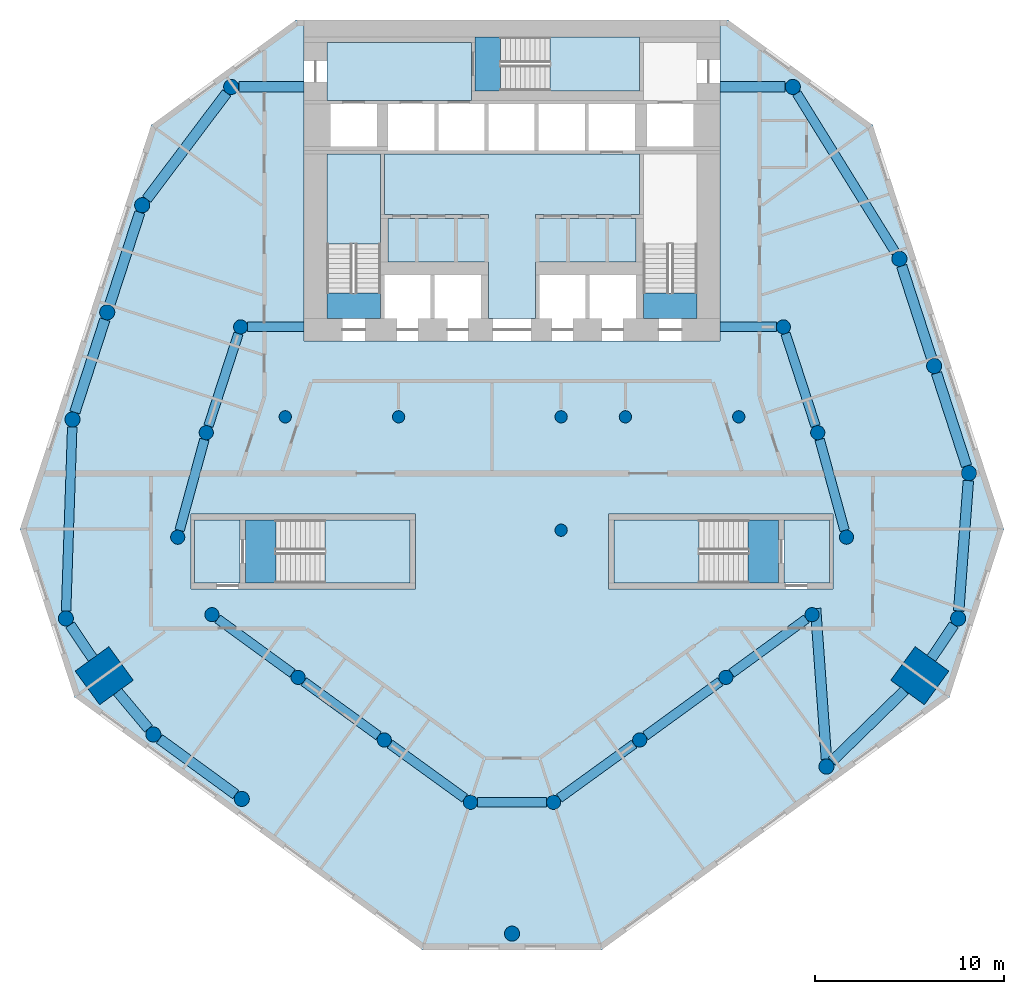
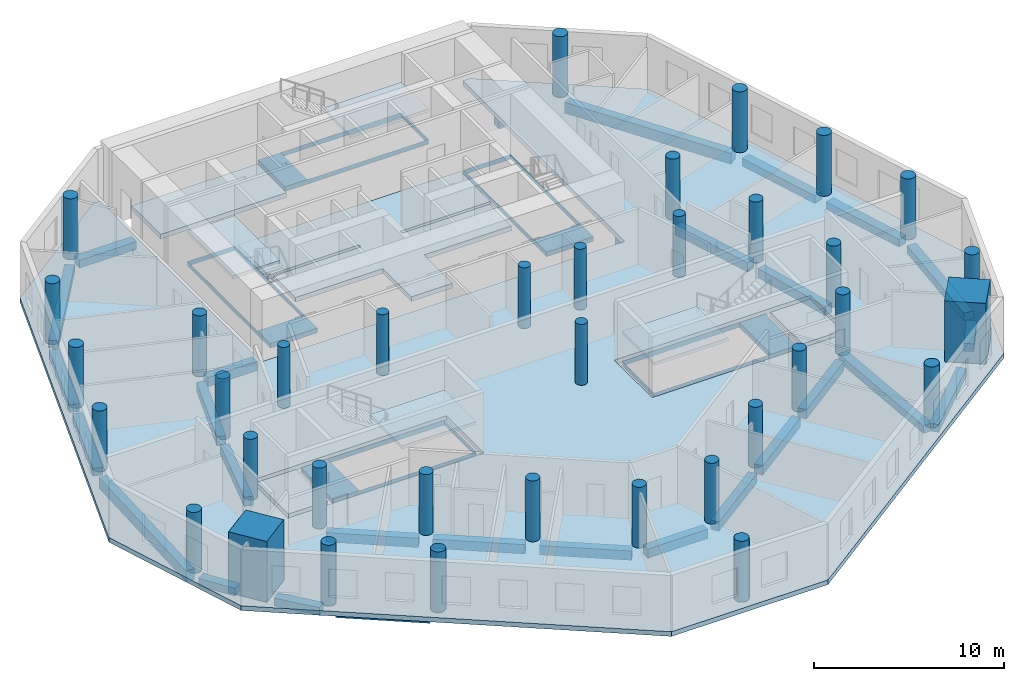
# One storey, part 1 of 9: 36 columns, 29 beams, 14 slabs, 4 elements without a shape of their own.
"""IFC4 building model written with IfcOpenShell, lengths in metres."""

from ifc_helpers import new_model, si_unit, direction, frame, origin, origin_2d, place, context, subcontext, project, spatial, polyline, rectangle, circle, outline, extrude, material, layer, layer_set, material_profile, profile_set, type_object, element, aggregate, save


model = new_model("IFC4")

# Units and contexts
model_context = context("Model", 3, precision=1e-05, world=origin(), true_north=direction((0.0, 1.0)))
body_context = subcontext(model_context, "Body", "Model", "MODEL_VIEW")
ifc_project = project(units=[si_unit("LENGTHUNIT", "METRE"), si_unit("AREAUNIT", "SQUARE_METRE"), si_unit("VOLUMEUNIT", "CUBIC_METRE"), si_unit("PLANEANGLEUNIT", "RADIAN"), si_unit("MASSUNIT", "GRAM", prefix="KILO")], contexts=[model_context])

# Site, building, storey
site_placement = place(None, origin())
site = spatial("IfcSite", under=ifc_project, at=site_placement, CompositionType="ELEMENT")
building_placement = place(site_placement, origin())
building = spatial("IfcBuilding", under=site, at=building_placement, Name="White Candle Pilgrim Tower", CompositionType="ELEMENT")
storey_placement = place(building_placement, frame((0.0, 0.0, 81.89990234375)))
storey = spatial("IfcBuildingStorey", under=building, at=storey_placement, Name="L17", CompositionType="ELEMENT", Elevation=81.89990234375)

# Columns
ifc_material_1 = material(Name="Concrete C80/95", Category="concrete")
ifc_material_profile_1 = material_profile(ifc_material_1, circle(Radius=0.324951171875, at=origin_2d()), Name="RC-COL D650")
ifc_profile_set_1 = profile_set([ifc_material_profile_1], Name="Concrete C80/95")
column_type_1 = type_object("IfcColumnType", Name="Interior column RC-COL D650 C80/95", PredefinedType="COLUMN", material=ifc_profile_set_1)
for number, where, z_axis, x_axis, name in (
    (1, (58.0, 67.0, 0.0), (0.0, 0.0, 1.0), (1.0, 0.0, 0.0), "L17 column I01"),
    (2, (64.0, 67.0, 0.0), (0.0, 0.0, 1.0), (1.0, 0.0, 0.0), "L17 column I02"),
    (3, (72.60009765625, 61.0, 0.0), (0.0, 0.0, 1.0), (1.0, 0.0, 0.0), "L17 column I03"),
    (4, (72.60009765625, 67.0, 0.0), (0.0, 0.0, 1.0), (1.0, 0.0, 0.0), "L17 column I04"),
    (5, (76.0, 67.0, 0.0), (0.0, 0.0, 1.0), (1.0, 0.0, 0.0), "L17 column I05"),
    (6, (82.0, 67.0, 0.0), (0.0, 0.0, 1.0), (1.0, 0.0, 0.0), "L17 column I06"),
):
    element("IfcColumn", number, at=place(storey_placement, frame(where, z_axis=z_axis, x_axis=x_axis)), inside=storey, type_object=column_type_1, Name=name, PredefinedType="COLUMN", context=body_context, shape_type="SweptSolid", body=[
        extrude(circle(Radius=0.324951171875, at=origin_2d()), origin(), (0.0, 0.0, 1.0), 3.900146484375),
    ])
ifc_material_profile_2 = material_profile(ifc_material_1, rectangle(XDim=2.199951171875, YDim=2.199951171875, at=origin_2d()), Name="RC 2200x2200")
ifc_profile_set_2 = profile_set([ifc_material_profile_2], Name="Concrete C80/95")
column_type_2 = type_object("IfcColumnType", Name="Mega column RC 2200x2200 C80/95", PredefinedType="COLUMN", material=ifc_profile_set_2)
for number, where, z_axis, x_axis, name in (
    (7, (48.419921875, 53.300048828125, 0.0), (0.0, 0.0, 1.0), (-0.809016994375, -0.587785252292, 0.0), "L17 mega column T02"),
    (8, (91.580078125, 53.300048828125, 0.0), (0.0, 0.0, 1.0), (0.809016994375, -0.587785252292, 0.0), "L17 mega column T07"),
):
    element("IfcColumn", number, at=place(storey_placement, frame(where, z_axis=z_axis, x_axis=x_axis)), inside=storey, type_object=column_type_2, Name=name, PredefinedType="COLUMN", context=body_context, shape_type="SweptSolid", body=[
        extrude(rectangle(XDim=2.199951171875, YDim=2.199951171875, at=origin_2d()), origin(), (0.0, 0.0, 1.0), 3.900146484375),
    ])
ifc_material_profile_3 = material_profile(ifc_material_1, circle(Radius=0.39990234375, at=origin_2d()), Name="RC-COL D800")
ifc_profile_set_3 = profile_set([ifc_material_profile_3], Name="Concrete C80/95")
column_type_3 = type_object("IfcColumnType", Name="Perimeter column RC-COL D800 C80/95", PredefinedType="COLUMN", material=ifc_profile_set_3)
for number, where, z_axis, x_axis, name in (
    (9, (46.389892578125, 56.330078125, 0.0), (0.0, 0.0, 1.0), (1.0, 0.0, 0.0), "L17 column T01"),
    (10, (51.02001953125, 50.18994140625, 0.0), (0.0, 0.0, 1.0), (1.0, 0.0, 0.0), "L17 column T03"),
    (11, (55.699951171875, 46.780029296875, 0.0), (0.0, 0.0, 1.0), (1.0, 0.0, 0.0), "L17 column T04"),
    (12, (70.0, 39.64990234375, 0.0), (0.0, 0.0, 1.0), (1.0, 0.0, 0.0), "L17 column T05"),
    (13, (86.639892578125, 48.489990234375, 0.0), (0.0, 0.0, 1.0), (1.0, 0.0, 0.0), "L17 column T06"),
    (14, (93.610107421875, 56.330078125, 0.0), (0.0, 0.0, 1.0), (1.0, 0.0, 0.0), "L17 column T08"),
    (15, (94.179931640625, 64.02001953125, 0.0), (0.0, 0.0, 1.0), (1.0, 0.0, 0.0), "L17 column T09"),
    (16, (92.340087890625, 69.68994140625, 0.0), (0.0, 0.0, 1.0), (1.0, 0.0, 0.0), "L17 column T10"),
    (17, (90.5, 75.360107421875, 0.0), (0.0, 0.0, 1.0), (1.0, 0.0, 0.0), "L17 column T11"),
    (18, (84.860107421875, 84.4599609375, 0.0), (0.0, 0.0, 1.0), (1.0, 0.0, 0.0), "L17 column T12"),
    (19, (55.139892578125, 84.4599609375, 0.0), (0.0, 0.0, 1.0), (1.0, 0.0, 0.0), "L17 column T13"),
    (20, (50.429931640625, 78.199951171875, 0.0), (0.0, 0.0, 1.0), (1.0, 0.0, 0.0), "L17 column T14"),
    (21, (48.580078125, 72.530029296875, 0.0), (0.0, 0.0, 1.0), (1.0, 0.0, 0.0), "L17 column T15"),
    (22, (46.739990234375, 66.860107421875, 0.0), (0.0, 0.0, 1.0), (1.0, 0.0, 0.0), "L17 column T16"),
):
    element("IfcColumn", number, at=place(storey_placement, frame(where, z_axis=z_axis, x_axis=x_axis)), inside=storey, type_object=column_type_3, Name=name, PredefinedType="COLUMN", context=body_context, shape_type="SweptSolid", body=[
        extrude(circle(Radius=0.39990234375, at=origin_2d()), origin(), (0.0, 0.0, 1.0), 3.900146484375),
    ])
ifc_material_profile_4 = material_profile(ifc_material_1, circle(Radius=0.375, at=origin_2d()), Name="RC-COL D750")
ifc_profile_set_4 = profile_set([ifc_material_profile_4], Name="Concrete C80/95")
column_type_4 = type_object("IfcColumnType", Name="Ring column RC-COL D750 C80/95", PredefinedType="COLUMN", material=ifc_profile_set_4)
for number, where, z_axis, x_axis, name in (
    (23, (52.31005859375, 60.6298828125, 0.0), (0.0, 0.0, 1.0), (1.0, 0.0, 0.0), "L17 column R01"),
    (24, (54.1201171875, 56.530029296875, 0.0), (0.0, 0.0, 1.0), (1.0, 0.0, 0.0), "L17 column R02"),
    (25, (58.679931640625, 53.2099609375, 0.0), (0.0, 0.0, 1.0), (1.0, 0.0, 0.0), "L17 column R03"),
    (26, (63.239990234375, 49.89990234375, 0.0), (0.0, 0.0, 1.0), (1.0, 0.0, 0.0), "L17 column R04"),
    (27, (67.800048828125, 46.60009765625, 0.0), (0.0, 0.0, 1.0), (1.0, 0.0, 0.0), "L17 column R05"),
    (28, (72.199951171875, 46.60009765625, 0.0), (0.0, 0.0, 1.0), (1.0, 0.0, 0.0), "L17 column R06"),
    (29, (76.760009765625, 49.89990234375, 0.0), (0.0, 0.0, 1.0), (1.0, 0.0, 0.0), "L17 column R07"),
    (30, (81.320068359375, 53.2099609375, 0.0), (0.0, 0.0, 1.0), (1.0, 0.0, 0.0), "L17 column R08"),
    (31, (85.8798828125, 56.530029296875, 0.0), (0.0, 0.0, 1.0), (1.0, 0.0, 0.0), "L17 column R09"),
    (32, (87.699951171875, 60.6298828125, 0.0), (0.0, 0.0, 1.0), (1.0, 0.0, 0.0), "L17 column R10"),
    (33, (86.179931640625, 66.159912109375, 0.0), (0.0, 0.0, 1.0), (1.0, 0.0, 0.0), "L17 column R11"),
    (34, (84.360107421875, 71.760009765625, 0.0), (0.0, 0.0, 1.0), (1.0, 0.0, 0.0), "L17 column R12"),
    (35, (55.639892578125, 71.760009765625, 0.0), (0.0, 0.0, 1.0), (1.0, 0.0, 0.0), "L17 column R13"),
    (36, (53.820068359375, 66.159912109375, 0.0), (0.0, 0.0, 1.0), (1.0, 0.0, 0.0), "L17 column R14"),
):
    element("IfcColumn", number, at=place(storey_placement, frame(where, z_axis=z_axis, x_axis=x_axis)), inside=storey, type_object=column_type_4, Name=name, PredefinedType="COLUMN", context=body_context, shape_type="SweptSolid", body=[
        extrude(circle(Radius=0.375, at=origin_2d()), origin(), (0.0, 0.0, 1.0), 3.900146484375),
    ])

# Beams
ifc_material_2 = material(Name="Concrete C50/60", Category="concrete")
ifc_material_profile_5 = material_profile(ifc_material_2, rectangle(XDim=0.5, YDim=0.60009765625, at=origin_2d()), Name="RC-BM 500x600")
ifc_profile_set_5 = profile_set([ifc_material_profile_5], Name="Concrete C50/60")
beam_type_1 = type_object("IfcBeamType", Name="Ring beam RC-BM 500x600 C50/60", PredefinedType="BEAM", material=ifc_profile_set_5)
beam_1_placement = place(storey_placement, frame((54.423095703125, 56.309326171875, -0.599853515625), z_axis=(0.808431607518, -0.58859012561, 0.0), x_axis=(0.58859012561, 0.808431607518, 0.0)))
element("IfcBeam", 37, at=beam_1_placement, inside=storey, type_object=beam_type_1, Name="L17 ring beam R01", PredefinedType="BEAM", context=body_context, shape_type="SweptSolid", body=[
    extrude(rectangle(XDim=0.5, YDim=0.60009765625, at=origin_2d()), origin(), (0.0, 0.0, 1.0), 4.890869140625),
])
beam_2_placement = place(storey_placement, frame((58.9833984375, 52.98974609375, -0.599853515625), z_axis=(0.809276033964, -0.587428549572, 0.0), x_axis=(0.587428549572, 0.809276033964, 0.0)))
element("IfcBeam", 38, at=beam_2_placement, inside=storey, type_object=beam_type_1, Name="L17 ring beam R02", PredefinedType="BEAM", context=body_context, shape_type="SweptSolid", body=[
    extrude(rectangle(XDim=0.5, YDim=0.60009765625, at=origin_2d()), origin(), (0.0, 0.0, 1.0), 4.885009765625),
])
beam_3_placement = place(storey_placement, frame((63.543701171875, 49.680419921875, -0.599853515625), z_axis=(0.810079795278, -0.586319644291, 0.0), x_axis=(0.586319644291, 0.810079795278, 0.0)))
element("IfcBeam", 39, at=beam_3_placement, inside=storey, type_object=beam_type_1, Name="L17 ring beam R03", PredefinedType="BEAM", context=body_context, shape_type="SweptSolid", body=[
    extrude(rectangle(XDim=0.5, YDim=0.60009765625, at=origin_2d()), origin(), (0.0, 0.0, 1.0), 4.87939453125),
])
beam_4_placement = place(storey_placement, frame((68.175048828125, 46.60009765625, -0.599853515625), z_axis=(1.0, 0.0, 0.0), x_axis=(0.0, 1.0, 0.0)))
element("IfcBeam", 40, at=beam_4_placement, inside=storey, type_object=beam_type_1, Name="L17 ring beam R04", PredefinedType="BEAM", context=body_context, shape_type="SweptSolid", body=[
    extrude(rectangle(XDim=0.5, YDim=0.60009765625, at=origin_2d()), origin(), (0.0, 0.0, 1.0), 3.64990234375),
])
beam_5_placement = place(storey_placement, frame((72.503662109375, 46.819580078125, -0.599853515625), z_axis=(0.810079795278, 0.586319644291, 0.0), x_axis=(-0.586319644291, 0.810079795278, 0.0)))
element("IfcBeam", 41, at=beam_5_placement, inside=storey, type_object=beam_type_1, Name="L17 ring beam R05", PredefinedType="BEAM", context=body_context, shape_type="SweptSolid", body=[
    extrude(rectangle(XDim=0.5, YDim=0.60009765625, at=origin_2d()), origin(), (0.0, 0.0, 1.0), 4.87939453125),
])
beam_6_placement = place(storey_placement, frame((77.063232421875, 50.1201171875, -0.599853515625), z_axis=(0.809276033964, 0.587428549572, 0.0), x_axis=(-0.587428549572, 0.809276033964, 0.0)))
element("IfcBeam", 42, at=beam_6_placement, inside=storey, type_object=beam_type_1, Name="L17 ring beam R06", PredefinedType="BEAM", context=body_context, shape_type="SweptSolid", body=[
    extrude(rectangle(XDim=0.5, YDim=0.60009765625, at=origin_2d()), origin(), (0.0, 0.0, 1.0), 4.885009765625),
])
beam_7_placement = place(storey_placement, frame((81.623046875, 53.4306640625, -0.599853515625), z_axis=(0.808431607518, 0.58859012561, 0.0), x_axis=(-0.58859012561, 0.808431607518, 0.0)))
element("IfcBeam", 43, at=beam_7_placement, inside=storey, type_object=beam_type_1, Name="L17 ring beam R07", PredefinedType="BEAM", context=body_context, shape_type="SweptSolid", body=[
    extrude(rectangle(XDim=0.5, YDim=0.60009765625, at=origin_2d()), origin(), (0.0, 0.0, 1.0), 4.890869140625),
])
beam_8_placement = place(storey_placement, frame((87.6005859375, 60.991455078125, -0.599853515625), z_axis=(-0.265031278819, 0.964239815216, 0.0), x_axis=(-0.964239815216, -0.265031278819, 0.0)))
element("IfcBeam", 44, at=beam_8_placement, inside=storey, type_object=beam_type_1, Name="L17 ring beam R08", PredefinedType="BEAM", context=body_context, shape_type="SweptSolid", body=[
    extrude(rectangle(XDim=0.5, YDim=0.60009765625, at=origin_2d()), origin(), (0.0, 0.0, 1.0), 4.9853515625),
])
beam_9_placement = place(storey_placement, frame((86.064208984375, 66.5166015625, -0.599853515625), z_axis=(-0.309106483996, 0.9510274347, 0.0), x_axis=(-0.9510274347, -0.309106483996, 0.0)))
element("IfcBeam", 45, at=beam_9_placement, inside=storey, type_object=beam_type_1, Name="L17 ring beam R09", PredefinedType="BEAM", context=body_context, shape_type="SweptSolid", body=[
    extrude(rectangle(XDim=0.5, YDim=0.60009765625, at=origin_2d()), origin(), (0.0, 0.0, 1.0), 5.138671875),
])
for number, where, z_axis, x_axis, name in (
    (46, (83.985107421875, 71.760009765625, -0.599853515625), (-1.0, 0.0, 0.0), (0.0, -1.0, 0.0), "L17 ring beam R10"),
    (47, (56.014892578125, 71.760009765625, -0.599853515625), (1.0, 0.0, 0.0), (0.0, 1.0, 0.0), "L17 ring beam R11"),
):
    element("IfcBeam", number, at=place(storey_placement, frame(where, z_axis=z_axis, x_axis=x_axis)), inside=storey, type_object=beam_type_1, Name=name, PredefinedType="BEAM", context=body_context, shape_type="SweptSolid", body=[
        extrude(rectangle(XDim=0.5, YDim=0.60009765625, at=origin_2d()), origin(), (0.0, 0.0, 1.0), 2.985107421875),
    ])
beam_10_placement = place(storey_placement, frame((55.524169921875, 71.403564453125, -0.599853515625), z_axis=(-0.309106483996, -0.9510274347, 0.0), x_axis=(0.9510274347, -0.309106483996, 0.0)))
element("IfcBeam", 48, at=beam_10_placement, inside=storey, type_object=beam_type_1, Name="L17 ring beam R12", PredefinedType="BEAM", context=body_context, shape_type="SweptSolid", body=[
    extrude(rectangle(XDim=0.5, YDim=0.60009765625, at=origin_2d()), origin(), (0.0, 0.0, 1.0), 5.138671875),
])
beam_11_placement = place(storey_placement, frame((53.72119140625, 65.79833984375, -0.599853515625), z_axis=(-0.263415907103, -0.964682362172, 0.0), x_axis=(0.964682362172, -0.263415907103, 0.0)))
element("IfcBeam", 49, at=beam_11_placement, inside=storey, type_object=beam_type_1, Name="L17 ring beam R13", PredefinedType="BEAM", context=body_context, shape_type="SweptSolid", body=[
    extrude(rectangle(XDim=0.5, YDim=0.60009765625, at=origin_2d()), origin(), (0.0, 0.0, 1.0), 4.982666015625),
])
ifc_material_profile_6 = material_profile(ifc_material_2, rectangle(XDim=0.5, YDim=0.699951171875, at=origin_2d()), Name="RC-BM 500x700")
ifc_profile_set_6 = profile_set([ifc_material_profile_6], Name="Concrete C50/60")
beam_type_2 = type_object("IfcBeamType", Name="Spandrel beam RC-BM 500x700 C50/60", PredefinedType="BEAM", material=ifc_profile_set_6)
beam_12_placement = place(storey_placement, frame((90.289306640625, 75.69970703125, -0.64990234375), z_axis=(-0.526800809553, 0.849988768781, 0.0), x_axis=(-0.849988768781, -0.526800809553, 0.0)))
element("IfcBeam", 50, at=beam_12_placement, inside=storey, type_object=beam_type_2, Name="L17 spandrel beam T10", PredefinedType="BEAM", context=body_context, shape_type="SweptSolid", body=[
    extrude(rectangle(XDim=0.5, YDim=0.699951171875, at=origin_2d()), origin(), (0.0, 0.0, 1.0), 9.906494140625),
])
beam_13_placement = place(storey_placement, frame((46.726806640625, 66.46044921875, -0.64990234375), z_axis=(-0.033224659514, -0.999447908598, 0.0), x_axis=(0.999447908598, -0.033224659514, 0.0)))
element("IfcBeam", 51, at=beam_13_placement, inside=storey, type_object=beam_type_2, Name="L17 spandrel beam T16", PredefinedType="BEAM", context=body_context, shape_type="SweptSolid", body=[
    extrude(rectangle(XDim=0.5, YDim=0.699951171875, at=origin_2d()), origin(), (0.0, 0.0, 1.0), 9.736328125),
])
ifc_material_profile_7 = material_profile(ifc_material_2, rectangle(XDim=0.550048828125, YDim=0.5, at=origin_2d()), Name="RC-BM 550x500")
ifc_profile_set_7 = profile_set([ifc_material_profile_7], Name="Concrete C50/60")
beam_type_3 = type_object("IfcBeamType", Name="Spandrel beam RC-BM 550x500 C50/60", PredefinedType="BEAM", material=ifc_profile_set_7)
beam_14_placement = place(storey_placement, frame((46.612548828125, 55.997802734375, -0.5498046875), z_axis=(0.556641005169, -0.830753147069, 0.0), x_axis=(0.830753147069, 0.556641005169, 0.0)))
element("IfcBeam", 52, at=beam_14_placement, inside=storey, type_object=beam_type_3, Name="L17 spandrel beam T01", PredefinedType="BEAM", context=body_context, shape_type="SweptSolid", body=[
    extrude(rectangle(XDim=0.550048828125, YDim=0.5, at=origin_2d()), origin(), (0.0, 0.0, 1.0), 2.146484375),
])
beam_15_placement = place(storey_placement, frame((49.127197265625, 52.4541015625, -0.5498046875), z_axis=(0.641388324436, -0.767216408373, 0.0), x_axis=(0.767216408373, 0.641388324436, 0.0)))
element("IfcBeam", 53, at=beam_15_placement, inside=storey, type_object=beam_type_3, Name="L17 spandrel beam T02", PredefinedType="BEAM", context=body_context, shape_type="SweptSolid", body=[
    extrude(rectangle(XDim=0.550048828125, YDim=0.5, at=origin_2d()), origin(), (0.0, 0.0, 1.0), 2.551513671875),
])
beam_16_placement = place(storey_placement, frame((51.343017578125, 49.95458984375, -0.5498046875), z_axis=(0.808217539001, -0.588884037525, 0.0), x_axis=(0.588884037525, 0.808217539001, 0.0)))
element("IfcBeam", 54, at=beam_16_placement, inside=storey, type_object=beam_type_3, Name="L17 spandrel beam T03", PredefinedType="BEAM", context=body_context, shape_type="SweptSolid", body=[
    extrude(rectangle(XDim=0.550048828125, YDim=0.5, at=origin_2d()), origin(), (0.0, 0.0, 1.0), 4.9912109375),
])
beam_17_placement = place(storey_placement, frame((86.639892578125, 48.889892578125, -0.5498046875), z_axis=(-0.071694624988, 0.997426629255, 0.0), x_axis=(-0.997426629255, -0.071694624988, 0.0)))
element("IfcBeam", 55, at=beam_17_placement, inside=storey, type_object=beam_type_3, Name="L17 spandrel beam T04", PredefinedType="BEAM", context=body_context, shape_type="SweptSolid", body=[
    extrude(rectangle(XDim=0.550048828125, YDim=0.5, at=origin_2d()), origin(), (0.0, 0.0, 1.0), 7.9853515625),
])
beam_18_placement = place(storey_placement, frame((86.926513671875, 48.768798828125, -0.5498046875), z_axis=(0.716462232914, 0.697625880259, 0.0), x_axis=(-0.697625880259, 0.716462232914, 0.0)))
element("IfcBeam", 56, at=beam_18_placement, inside=storey, type_object=beam_type_3, Name="L17 spandrel beam T05", PredefinedType="BEAM", context=body_context, shape_type="SweptSolid", body=[
    extrude(rectangle(XDim=0.550048828125, YDim=0.5, at=origin_2d()), origin(), (0.0, 0.0, 1.0), 5.37890625),
])
beam_19_placement = place(storey_placement, frame((92.192626953125, 54.214599609375, -0.5498046875), z_axis=(0.556641005169, 0.830753147069, 0.0), x_axis=(-0.830753147069, 0.556641005169, 0.0)))
element("IfcBeam", 57, at=beam_19_placement, inside=storey, type_object=beam_type_3, Name="L17 spandrel beam T06", PredefinedType="BEAM", context=body_context, shape_type="SweptSolid", body=[
    extrude(rectangle(XDim=0.550048828125, YDim=0.5, at=origin_2d()), origin(), (0.0, 0.0, 1.0), 2.146484375),
])
beam_20_placement = place(storey_placement, frame((93.6396484375, 56.728759765625, -0.5498046875), z_axis=(0.073900311906, 0.99726563357, 0.0), x_axis=(-0.99726563357, 0.073900311906, 0.0)))
element("IfcBeam", 58, at=beam_20_placement, inside=storey, type_object=beam_type_3, Name="L17 spandrel beam T07", PredefinedType="BEAM", context=body_context, shape_type="SweptSolid", body=[
    extrude(rectangle(XDim=0.550048828125, YDim=0.5, at=origin_2d()), origin(), (0.0, 0.0, 1.0), 6.9111328125),
])
for number, where, z_axis, x_axis, name in (
    (59, (94.056640625, 64.400390625, -0.5498046875), (-0.308682827488, 0.951165028801, 0.0), (-0.951165028801, -0.308682827488, 0.0), "L17 spandrel beam T08"),
    (60, (92.216552734375, 70.0703125, -0.5498046875), (-0.308682827488, 0.951165028801, 0.0), (-0.951165028801, -0.308682827488, 0.0), "L17 spandrel beam T09"),
):
    element("IfcBeam", number, at=place(storey_placement, frame(where, z_axis=z_axis, x_axis=x_axis)), inside=storey, type_object=beam_type_3, Name=name, PredefinedType="BEAM", context=body_context, shape_type="SweptSolid", body=[
        extrude(rectangle(XDim=0.550048828125, YDim=0.5, at=origin_2d()), origin(), (0.0, 0.0, 1.0), 5.161376953125),
    ])
for number, where, z_axis, x_axis, name in (
    (61, (84.4599609375, 84.4599609375, -0.5498046875), (-1.0, 0.0, 0.0), (0.0, -1.0, 0.0), "L17 spandrel beam T11"),
    (62, (55.5400390625, 84.4599609375, -0.5498046875), (1.0, 0.0, 0.0), (0.0, 1.0, 0.0), "L17 spandrel beam T12"),
):
    element("IfcBeam", number, at=place(storey_placement, frame(where, z_axis=z_axis, x_axis=x_axis)), inside=storey, type_object=beam_type_3, Name=name, PredefinedType="BEAM", context=body_context, shape_type="SweptSolid", body=[
        extrude(rectangle(XDim=0.550048828125, YDim=0.5, at=origin_2d()), origin(), (0.0, 0.0, 1.0), 3.4599609375),
    ])
beam_21_placement = place(storey_placement, frame((54.899658203125, 84.140380859375, -0.5498046875), z_axis=(-0.601237643972, -0.79907026942, 0.0), x_axis=(0.79907026942, -0.601237643972, 0.0)))
element("IfcBeam", 63, at=beam_21_placement, inside=storey, type_object=beam_type_3, Name="L17 spandrel beam T13", PredefinedType="BEAM", context=body_context, shape_type="SweptSolid", body=[
    extrude(rectangle(XDim=0.550048828125, YDim=0.5, at=origin_2d()), origin(), (0.0, 0.0, 1.0), 7.0341796875),
])
beam_22_placement = place(storey_placement, frame((50.305908203125, 77.81982421875, -0.5498046875), z_axis=(-0.310165508273, -0.950682574511, 0.0), x_axis=(0.950682574511, -0.310165508273, 0.0)))
element("IfcBeam", 64, at=beam_22_placement, inside=storey, type_object=beam_type_3, Name="L17 spandrel beam T14", PredefinedType="BEAM", context=body_context, shape_type="SweptSolid", body=[
    extrude(rectangle(XDim=0.550048828125, YDim=0.5, at=origin_2d()), origin(), (0.0, 0.0, 1.0), 5.164306640625),
])
beam_23_placement = place(storey_placement, frame((48.45654296875, 72.149658203125, -0.5498046875), z_axis=(-0.308682827488, -0.951165028801, 0.0), x_axis=(0.951165028801, -0.308682827488, 0.0)))
element("IfcBeam", 65, at=beam_23_placement, inside=storey, type_object=beam_type_3, Name="L17 spandrel beam T15", PredefinedType="BEAM", context=body_context, shape_type="SweptSolid", body=[
    extrude(rectangle(XDim=0.550048828125, YDim=0.5, at=origin_2d()), origin(), (0.0, 0.0, 1.0), 5.161376953125),
])

# Slabs
ifc_material_3 = material(Name="Concrete C40/50", Category="concrete")
ifc_layer_1 = layer(ifc_material_3, 0.300048828125)
ifc_layer_set_1 = layer_set([ifc_layer_1], Name="Core floor slab 300 mm Concrete C40/50")
slab_type_1 = type_object("IfcSlabType", Name="Core floor slab 300 mm Concrete C40/50", PredefinedType="FLOOR", material=ifc_layer_set_1)
slab_1_placement = place(storey_placement, frame((0.0, 0.0, -0.2998046875)))
element("IfcSlab", 66, at=slab_1_placement, inside=storey, type_object=slab_type_1, Name="CF-L17-01", PredefinedType="FLOOR", context=body_context, shape_type="SweptSolid", body=[
    extrude(outline(polyline([(55.60009765625, 58.199951171875), (53.199951171875, 58.199951171875), (53.199951171875, 61.550048828125), (55.60009765625, 61.550048828125), (55.60009765625, 58.199951171875)])), origin(), (0.0, 0.0, 1.0), 0.2998046875),
])
slab_2_placement = place(storey_placement, frame((0.0, 0.0, -0.2998046875)))
element("IfcSlab", 67, at=slab_2_placement, inside=storey, type_object=slab_type_1, Name="CF-L17-02", PredefinedType="FLOOR", context=body_context, shape_type="SweptSolid", body=[
    extrude(outline(polyline([(55.89990234375, 58.199951171875), (55.89990234375, 61.550048828125), (64.60009765625, 61.550048828125), (64.60009765625, 58.199951171875), (55.89990234375, 58.199951171875)]), holes=[polyline([(57.501953125, 61.548095703125), (57.501953125, 58.201904296875), (64.597900390625, 58.201904296875), (64.597900390625, 61.548095703125), (57.501953125, 61.548095703125)])]), origin(), (0.0, 0.0, 1.0), 0.2998046875),
])
slab_3_placement = place(storey_placement, frame((0.0, 0.0, -0.2998046875)))
element("IfcSlab", 68, at=slab_3_placement, inside=storey, type_object=slab_type_1, Name="CF-L17-03", PredefinedType="FLOOR", context=body_context, shape_type="SweptSolid", body=[
    extrude(outline(polyline([(75.39990234375, 58.199951171875), (75.39990234375, 61.550048828125), (84.10009765625, 61.550048828125), (84.10009765625, 58.199951171875), (75.39990234375, 58.199951171875)]), holes=[polyline([(82.498046875, 58.201904296875), (82.498046875, 61.548095703125), (75.402099609375, 61.548095703125), (75.402099609375, 58.201904296875), (82.498046875, 58.201904296875)])]), origin(), (0.0, 0.0, 1.0), 0.2998046875),
])
slab_4_placement = place(storey_placement, frame((0.0, 0.0, -0.2998046875)))
element("IfcSlab", 69, at=slab_4_placement, inside=storey, type_object=slab_type_1, Name="CF-L17-04", PredefinedType="FLOOR", context=body_context, shape_type="SweptSolid", body=[
    extrude(outline(polyline([(86.800048828125, 58.199951171875), (84.39990234375, 58.199951171875), (84.39990234375, 61.550048828125), (86.800048828125, 61.550048828125), (86.800048828125, 58.199951171875)])), origin(), (0.0, 0.0, 1.0), 0.2998046875),
])
slab_5_placement = place(storey_placement, frame((0.0, 0.0, -0.2998046875)))
element("IfcSlab", 70, at=slab_5_placement, inside=storey, type_object=slab_type_1, Name="CF-L17-05", PredefinedType="FLOOR", context=body_context, shape_type="SweptSolid", body=[
    extrude(outline(polyline([(76.75, 87.10009765625), (76.75, 86.800048828125), (76.75, 84.25), (68.050048828125, 84.25), (68.050048828125, 86.800048828125), (68.050048828125, 87.10009765625), (76.75, 87.10009765625)]), holes=[polyline([(69.402099609375, 87.097900390625), (69.402099609375, 84.251953125), (76.748046875, 84.251953125), (76.748046875, 87.097900390625), (69.402099609375, 87.097900390625)])]), origin(), (0.0, 0.0, 1.0), 0.2998046875),
])
slab_6_placement = place(storey_placement, frame((0.0, 0.0, -0.2998046875)))
element("IfcSlab", 71, at=slab_6_placement, inside=storey, type_object=slab_type_1, Name="CF-L17-07", PredefinedType="FLOOR", context=body_context, shape_type="SweptSolid", body=[
    extrude(outline(polyline([(79.800048828125, 72.199951171875), (76.949951171875, 72.199951171875), (76.949951171875, 74.5), (76.949951171875, 75.199951171875), (76.949951171875, 77.5), (76.949951171875, 77.699951171875), (76.949951171875, 80.89990234375), (79.800048828125, 80.89990234375), (79.800048828125, 72.199951171875)]), holes=[polyline([(76.951904296875, 73.552001953125), (79.798095703125, 73.552001953125), (79.798095703125, 80.89794921875), (76.951904296875, 80.89794921875), (76.951904296875, 73.552001953125)])]), origin(), (0.0, 0.0, 1.0), 0.2998046875),
])
slab_7_placement = place(storey_placement, frame((0.0, 0.0, -0.2998046875)))
element("IfcSlab", 72, at=slab_7_placement, inside=storey, type_object=slab_type_1, Name="CF-L17-08", PredefinedType="FLOOR", context=body_context, shape_type="SweptSolid", body=[
    extrude(outline(polyline([(68.75, 72.199951171875), (68.75, 74.5), (68.75, 75.199951171875), (63.449951171875, 75.199951171875), (63.449951171875, 77.5), (68.75, 77.5), (68.75, 77.699951171875), (63.25, 77.699951171875), (63.25, 80.89990234375), (76.75, 80.89990234375), (76.75, 77.699951171875), (71.25, 77.699951171875), (71.25, 77.5), (76.550048828125, 77.5), (76.550048828125, 75.199951171875), (71.25, 75.199951171875), (71.25, 74.5), (71.25, 72.199951171875), (68.75, 72.199951171875)])), origin(), (0.0, 0.0, 1.0), 0.2998046875),
])
slab_8_placement = place(storey_placement, frame((0.0, 0.0, -0.2998046875)))
element("IfcSlab", 73, at=slab_8_placement, inside=storey, type_object=slab_type_1, Name="CF-L17-09", PredefinedType="FLOOR", context=body_context, shape_type="SweptSolid", body=[
    extrude(outline(polyline([(60.199951171875, 72.199951171875), (60.199951171875, 80.89990234375), (63.050048828125, 80.89990234375), (63.050048828125, 77.699951171875), (63.050048828125, 77.5), (63.050048828125, 75.199951171875), (63.050048828125, 74.5), (63.050048828125, 72.199951171875), (60.199951171875, 72.199951171875)]), holes=[polyline([(60.201904296875, 73.552001953125), (63.048095703125, 73.552001953125), (63.048095703125, 80.89794921875), (60.201904296875, 80.89794921875), (60.201904296875, 73.552001953125)])]), origin(), (0.0, 0.0, 1.0), 0.2998046875),
])
slab_9_placement = place(storey_placement, frame((0.0, 0.0, -0.2998046875)))
element("IfcSlab", 74, at=slab_9_placement, inside=storey, type_object=slab_type_1, Name="CF-L17-10", PredefinedType="FLOOR", context=body_context, shape_type="SweptSolid", body=[
    extrude(outline(polyline([(60.199951171875, 86.800048828125), (67.85009765625, 86.800048828125), (67.85009765625, 84.25), (67.85009765625, 83.75), (60.199951171875, 83.75), (60.199951171875, 86.800048828125)])), origin(), (0.0, 0.0, 1.0), 0.2998046875),
])
ifc_layer_2 = layer(ifc_material_3, 0.300048828125)
ifc_layer_set_2 = layer_set([ifc_layer_2], Name="Floor slab 300 REI 120")
slab_type_2 = type_object("IfcSlabType", Name="Floor slab 300 REI 120", PredefinedType="FLOOR", material=ifc_layer_set_2)
slab_10_placement = place(storey_placement, frame((0.0, 0.0, -0.2998046875)))
element("IfcSlab", 75, at=slab_10_placement, inside=storey, type_object=slab_type_2, Name="L17 floor slab", PredefinedType="FLOOR", context=body_context, shape_type="SweptSolid", body=[
    extrude(outline(polyline([(65.2509765625, 38.797119140625), (74.7490234375, 38.797119140625), (93.14599609375, 52.163330078125), (96.03662109375, 61.059814453125), (89.08984375, 82.43994140625), (81.43701171875, 88.0), (81.0, 88.0), (81.0, 71.0), (59.0, 71.0), (59.0, 88.0), (58.56298828125, 88.0), (50.91015625, 82.43994140625), (43.96337890625, 61.059814453125), (46.85400390625, 52.163330078125), (65.2509765625, 38.797119140625)]), holes=[polyline([(53.0, 57.89990234375), (53.0, 61.85009765625), (64.89990234375, 61.85009765625), (64.89990234375, 57.89990234375), (53.0, 57.89990234375)]), polyline([(75.10009765625, 57.89990234375), (75.10009765625, 61.85009765625), (87.0, 61.85009765625), (87.0, 57.89990234375), (75.10009765625, 57.89990234375)])]), origin(), (0.0, 0.0, 1.0), 0.2998046875),
])

# Stair, slab
stair_type_1 = type_object("IfcStairType", Name="Exit stair 1 flight width 1350 mm", PredefinedType="HALF_TURN_STAIR", material=ifc_material_3)
stair_1_placement = place(storey_placement, origin())
stair_1 = element("IfcStair", 76, at=stair_1_placement, inside=storey, type_object=stair_type_1, Name="L17 stair 1", PredefinedType="NOTDEFINED")
ifc_layer_3 = layer(ifc_material_3, 0.199951171875)
ifc_layer_set_3 = layer_set([ifc_layer_3], Name="Stair landing Concrete C40/50")
slab_type_3 = type_object("IfcSlabType", Name="Stair landing Concrete C40/50", PredefinedType="LANDING", material=ifc_layer_set_3)
slab_11_placement = place(storey_placement, frame((0.0, 0.0, 1.75)))
slab_11 = element("IfcSlab", 77, at=slab_11_placement, type_object=slab_type_3, Name="ST1 landing 1", PredefinedType="LANDING", context=body_context, shape_type="SweptSolid", body=[
    extrude(outline(polyline([(63.052001953125, 76.14794921875), (60.197998046875, 76.14794921875), (60.197998046875, 80.902099609375), (63.052001953125, 80.902099609375), (63.052001953125, 76.14794921875)])), origin(), (0.0, 0.0, 1.0), 0.2001953125),
])
aggregate(stair_1, [slab_11])

stair_type_2 = type_object("IfcStairType", Name="Exit stair 3 flight width 1350 mm", PredefinedType="HALF_TURN_STAIR", material=ifc_material_3)
stair_2_placement = place(storey_placement, origin())
stair_2 = element("IfcStair", 78, at=stair_2_placement, inside=storey, type_object=stair_type_2, Name="L17 stair 3", PredefinedType="NOTDEFINED")
slab_12_placement = place(storey_placement, frame((0.0, 0.0, 1.75)))
slab_12 = element("IfcSlab", 79, at=slab_12_placement, type_object=slab_type_3, Name="ST3 landing 1", PredefinedType="LANDING", context=body_context, shape_type="SweptSolid", body=[
    extrude(outline(polyline([(71.998046875, 84.248046875), (71.998046875, 87.10205078125), (76.751953125, 87.10205078125), (76.751953125, 84.248046875), (71.998046875, 84.248046875)])), origin(), (0.0, 0.0, 1.0), 0.2001953125),
])
aggregate(stair_2, [slab_12])

stair_type_3 = type_object("IfcStairType", Name="Exit stair 4 flight width 1600 mm", PredefinedType="HALF_TURN_STAIR", material=ifc_material_3)
stair_3_placement = place(storey_placement, origin())
stair_3 = element("IfcStair", 80, at=stair_3_placement, inside=storey, type_object=stair_type_3, Name="L17 stair 4", PredefinedType="NOTDEFINED")
slab_13_placement = place(storey_placement, frame((0.0, 0.0, 1.75)))
slab_13 = element("IfcSlab", 81, at=slab_13_placement, type_object=slab_type_3, Name="ST4 landing 1", PredefinedType="LANDING", context=body_context, shape_type="SweptSolid", body=[
    extrude(outline(polyline([(79.902099609375, 61.552001953125), (79.902099609375, 58.197998046875), (75.39794921875, 58.197998046875), (75.39794921875, 61.552001953125), (79.902099609375, 61.552001953125)])), origin(), (0.0, 0.0, 1.0), 0.2001953125),
])
aggregate(stair_3, [slab_13])

stair_type_4 = type_object("IfcStairType", Name="Exit stair 5 flight width 1600 mm", PredefinedType="HALF_TURN_STAIR", material=ifc_material_3)
stair_4_placement = place(storey_placement, origin())
stair_4 = element("IfcStair", 82, at=stair_4_placement, inside=storey, type_object=stair_type_4, Name="L17 stair 5", PredefinedType="NOTDEFINED")
slab_14_placement = place(storey_placement, frame((0.0, 0.0, 1.75)))
slab_14 = element("IfcSlab", 83, at=slab_14_placement, type_object=slab_type_3, Name="ST5 landing 1", PredefinedType="LANDING", context=body_context, shape_type="SweptSolid", body=[
    extrude(outline(polyline([(60.097900390625, 58.197998046875), (60.097900390625, 61.552001953125), (64.60205078125, 61.552001953125), (64.60205078125, 58.197998046875), (60.097900390625, 58.197998046875)])), origin(), (0.0, 0.0, 1.0), 0.2001953125),
])
aggregate(stair_4, [slab_14])

save(model, "model.ifc")
